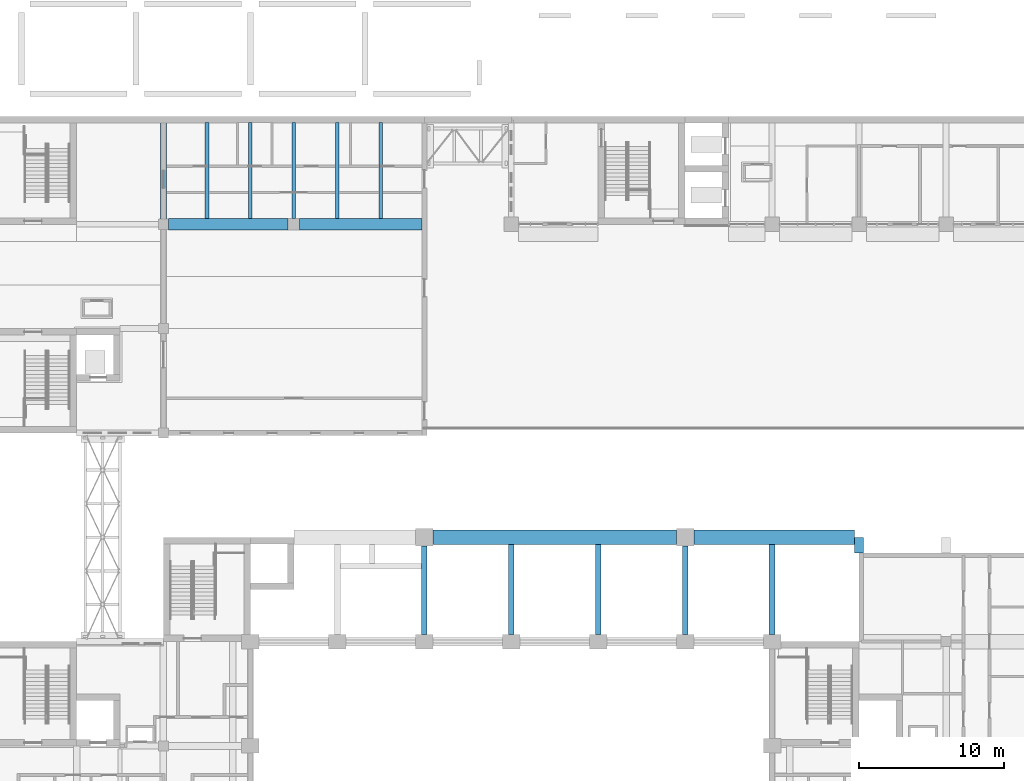
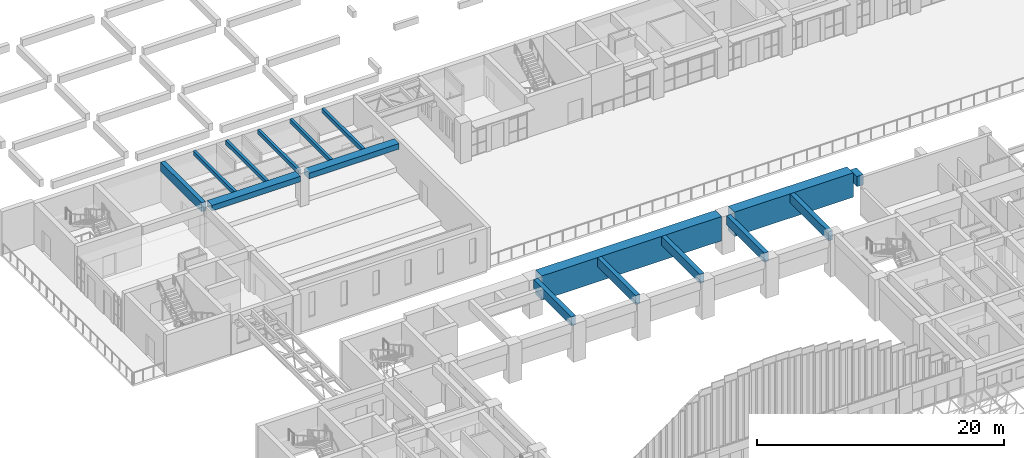
# One storey, part 24 of 103: 16 beams.
"""IFC4 building model written with IfcOpenShell, lengths in metres."""

from ifc_helpers import new_model, si_unit, direction, frame, origin, origin_2d, place, context, subcontext, project, spatial, rectangle, extrude, material, material_profile, profile_set, type_object, element, save


model = new_model("IFC4")

# Units and contexts
model_context = context("Model", 3, precision=1e-05, world=origin(), true_north=direction((0.0, 1.0)))
body_context = subcontext(model_context, "Body", "Model", "MODEL_VIEW")
ifc_project = project(units=[si_unit("LENGTHUNIT", "METRE"), si_unit("AREAUNIT", "SQUARE_METRE"), si_unit("VOLUMEUNIT", "CUBIC_METRE"), si_unit("PLANEANGLEUNIT", "RADIAN"), si_unit("MASSUNIT", "GRAM", prefix="KILO")], contexts=[model_context])

# Site, building, storey
site_placement = place(None, origin())
site = spatial("IfcSite", under=ifc_project, at=site_placement, CompositionType="ELEMENT")
building_placement = place(site_placement, origin())
building = spatial("IfcBuilding", under=site, at=building_placement, Name="Laocheng Heights Fire and Rescue Headquarters", CompositionType="ELEMENT")
storey_placement = place(building_placement, frame((0.0, 0.0, 4.199951171875)))
storey = spatial("IfcBuildingStorey", under=building, at=storey_placement, Name="L01", CompositionType="ELEMENT", Elevation=4.199951171875)

# Beams
ifc_material_1 = material(Name="Concrete C60", Category="concrete")
ifc_material_profile_1 = material_profile(ifc_material_1, rectangle(XDim=1.0, YDim=2.39990234375, at=origin_2d()), Name="RC BEAM 1000x2400 TRANSFER GIRDER")
ifc_profile_set_1 = profile_set([ifc_material_profile_1], Name="Concrete C60")
beam_type_1 = type_object("IfcBeamType", Name="RC BEAM 1000x2400 TRANSFER GIRDER", PredefinedType="BEAM", material=ifc_profile_set_1)
beam_1_placement = place(storey_placement, frame((30.60009765625, 28.800048828125, 2.550048828125), z_axis=(1.0, 0.0, 0.0), x_axis=(0.0, 1.0, 0.0)))
element("IfcBeam", 1, at=beam_1_placement, inside=storey, type_object=beam_type_1, Name="Transfer girder TG2", PredefinedType="BEAM", context=body_context, shape_type="SweptSolid", body=[
    extrude(rectangle(XDim=1.0, YDim=2.39990234375, at=origin_2d()), origin(), (0.0, 0.0, 1.0), 16.7998046875),
])
beam_2_placement = place(storey_placement, frame((48.60009765625, 28.800048828125, 2.550048828125), z_axis=(1.0, 0.0, 0.0), x_axis=(0.0, 1.0, 0.0)))
element("IfcBeam", 2, at=beam_2_placement, inside=storey, type_object=beam_type_1, Name="Transfer girder TG3", PredefinedType="BEAM", context=body_context, shape_type="SweptSolid", body=[
    extrude(rectangle(XDim=1.0, YDim=2.39990234375, at=origin_2d()), origin(), (0.0, 0.0, 1.0), 11.099853515625),
])
ifc_material_2 = material(Name="Concrete C40", Category="concrete")
ifc_material_profile_2 = material_profile(ifc_material_2, rectangle(XDim=0.25, YDim=0.39990234375, at=origin_2d()), Name="RC BEAM 250x400 BALCONY JOIST")
ifc_profile_set_2 = profile_set([ifc_material_profile_2], Name="Concrete C40")
beam_type_2 = type_object("IfcBeamType", Name="RC BEAM 250x400 BALCONY JOIST", PredefinedType="BEAM", material=ifc_profile_set_2)
for number, where, z_axis, x_axis, name in (
    (3, (15.0, 50.794921875, 3.75), (0.0, 1.0, 0.0), (-1.0, 0.0, 0.0), "Theatre balcony joist L01"),
    (4, (18.0, 50.794921875, 3.75), (0.0, 1.0, 0.0), (-1.0, 0.0, 0.0), "Theatre balcony joist L01"),
    (5, (21.0, 50.794921875, 3.75), (0.0, 1.0, 0.0), (-1.0, 0.0, 0.0), "Theatre balcony joist L01"),
    (6, (24.0, 50.794921875, 3.75), (0.0, 1.0, 0.0), (-1.0, 0.0, 0.0), "Theatre balcony joist L01"),
    (7, (27.0, 50.794921875, 3.75), (0.0, 1.0, 0.0), (-1.0, 0.0, 0.0), "Theatre balcony joist L01"),
):
    element("IfcBeam", number, at=place(storey_placement, frame(where, z_axis=z_axis, x_axis=x_axis)), inside=storey, type_object=beam_type_2, Name=name, PredefinedType="BEAM", context=body_context, shape_type="SweptSolid", body=[
        extrude(rectangle(XDim=0.25, YDim=0.39990234375, at=origin_2d()), origin(), (0.0, 0.0, 1.0), 6.635009765625),
    ])
ifc_material_3 = material(Name="Concrete C40", Category="concrete")
ifc_material_profile_3 = material_profile(ifc_material_3, rectangle(XDim=0.39990234375, YDim=0.89990234375, at=origin_2d()), Name="RC BEAM 400x900 FOYER")
ifc_profile_set_3 = profile_set([ifc_material_profile_3], Name="Concrete C40")
beam_type_3 = type_object("IfcBeamType", Name="RC BEAM 400x900 FOYER", PredefinedType="BEAM", material=ifc_profile_set_3)
beam_3_placement = place(storey_placement, frame((12.0, 50.75, 3.5), z_axis=(0.0, 1.0, 0.0), x_axis=(-1.0, 0.0, 0.0)))
element("IfcBeam", 8, at=beam_3_placement, inside=storey, type_object=beam_type_3, Name="Foyer beam L01", PredefinedType="BEAM", context=body_context, shape_type="SweptSolid", body=[
    extrude(rectangle(XDim=0.39990234375, YDim=0.89990234375, at=origin_2d()), origin(), (0.0, 0.0, 1.0), 6.625),
])
ifc_material_4 = material(Name="Concrete C50", Category="concrete")
ifc_material_profile_4 = material_profile(ifc_material_4, rectangle(XDim=0.39990234375, YDim=0.89990234375, at=origin_2d()), Name="RC BEAM 400x900 TRANSFER SECONDARY")
ifc_profile_set_4 = profile_set([ifc_material_profile_4], Name="Concrete C50")
beam_type_4 = type_object("IfcBeamType", Name="RC BEAM 400x900 TRANSFER SECONDARY", PredefinedType="BEAM", material=ifc_profile_set_4)
beam_4_placement = place(storey_placement, frame((30.0, 22.10009765625, 3.300048828125), z_axis=(0.0, 1.0, 0.0), x_axis=(-1.0, 0.0, 0.0)))
element("IfcBeam", 9, at=beam_4_placement, inside=storey, type_object=beam_type_4, Name="Transfer secondary beam", PredefinedType="BEAM", context=body_context, shape_type="SweptSolid", body=[
    extrude(rectangle(XDim=0.39990234375, YDim=0.89990234375, at=origin_2d()), origin(), (0.0, 0.0, 1.0), 6.099853515625),
])
for number, where, z_axis, x_axis, name in (
    (10, (36.0, 22.10009765625, 3.300048828125), (0.0, 1.0, 0.0), (-1.0, 0.0, 0.0), "Transfer secondary beam"),
    (11, (42.0, 22.10009765625, 3.300048828125), (0.0, 1.0, 0.0), (-1.0, 0.0, 0.0), "Transfer secondary beam"),
):
    element("IfcBeam", number, at=place(storey_placement, frame(where, z_axis=z_axis, x_axis=x_axis)), inside=storey, type_object=beam_type_4, Name=name, PredefinedType="BEAM", context=body_context, shape_type="SweptSolid", body=[
        extrude(rectangle(XDim=0.39990234375, YDim=0.89990234375, at=origin_2d()), origin(), (0.0, 0.0, 1.0), 6.199951171875),
    ])
beam_5_placement = place(storey_placement, frame((48.0, 22.10009765625, 3.300048828125), z_axis=(0.0, 1.0, 0.0), x_axis=(-1.0, 0.0, 0.0)))
element("IfcBeam", 12, at=beam_5_placement, inside=storey, type_object=beam_type_4, Name="Transfer secondary beam", PredefinedType="BEAM", context=body_context, shape_type="SweptSolid", body=[
    extrude(rectangle(XDim=0.39990234375, YDim=0.89990234375, at=origin_2d()), origin(), (0.0, 0.0, 1.0), 6.099853515625),
])
beam_6_placement = place(storey_placement, frame((54.0, 22.10009765625, 3.300048828125), z_axis=(0.0, 1.0, 0.0), x_axis=(-1.0, 0.0, 0.0)))
element("IfcBeam", 13, at=beam_6_placement, inside=storey, type_object=beam_type_4, Name="Transfer secondary beam", PredefinedType="BEAM", context=body_context, shape_type="SweptSolid", body=[
    extrude(rectangle(XDim=0.39990234375, YDim=0.89990234375, at=origin_2d()), origin(), (0.0, 0.0, 1.0), 6.199951171875),
])
ifc_material_5 = material(Name="Concrete C60", Category="concrete")
ifc_material_profile_5 = material_profile(ifc_material_5, rectangle(XDim=0.60009765625, YDim=1.0, at=origin_2d()), Name="RC BEAM 600x1000 TRANSFER CANTILEVER")
ifc_profile_set_5 = profile_set([ifc_material_profile_5], Name="Concrete C60")
beam_type_5 = type_object("IfcBeamType", Name="RC BEAM 600x1000 TRANSFER CANTILEVER", PredefinedType="BEAM", material=ifc_profile_set_5)
beam_7_placement = place(storey_placement, frame((60.0, 27.699951171875, 3.25), z_axis=(0.0, 1.0, 0.0), x_axis=(-1.0, 0.0, 0.0)))
element("IfcBeam", 14, at=beam_7_placement, inside=storey, type_object=beam_type_5, Name="Cantilever transfer beam TG5", PredefinedType="BEAM", context=body_context, shape_type="SweptSolid", body=[
    extrude(rectangle(XDim=0.60009765625, YDim=1.0, at=origin_2d()), origin(), (0.0, 0.0, 1.0), 1.10009765625),
])
ifc_material_6 = material(Name="Concrete C50", Category="concrete")
ifc_material_profile_6 = material_profile(ifc_material_6, rectangle(XDim=0.800048828125, YDim=0.550048828125, at=origin_2d()), Name="RC BEAM 800x550 BALCONY")
ifc_profile_set_6 = profile_set([ifc_material_profile_6], Name="Concrete C50")
beam_type_6 = type_object("IfcBeamType", Name="RC BEAM 800x550 BALCONY", PredefinedType="BEAM", material=ifc_profile_set_6)
beam_8_placement = place(storey_placement, frame((12.35009765625, 50.39990234375, 3.675048828125), z_axis=(1.0, 0.0, 0.0), x_axis=(0.0, 1.0, 0.0)))
element("IfcBeam", 15, at=beam_8_placement, inside=storey, type_object=beam_type_6, Name="Theatre balcony beam L01", PredefinedType="BEAM", context=body_context, shape_type="SweptSolid", body=[
    extrude(rectangle(XDim=0.800048828125, YDim=0.550048828125, at=origin_2d()), origin(), (0.0, 0.0, 1.0), 8.25),
])
beam_9_placement = place(storey_placement, frame((21.39990234375, 50.39990234375, 3.675048828125), z_axis=(1.0, 0.0, 0.0), x_axis=(0.0, 1.0, 0.0)))
element("IfcBeam", 16, at=beam_9_placement, inside=storey, type_object=beam_type_6, Name="Theatre balcony beam L01", PredefinedType="BEAM", context=body_context, shape_type="SweptSolid", body=[
    extrude(rectangle(XDim=0.800048828125, YDim=0.550048828125, at=origin_2d()), origin(), (0.0, 0.0, 1.0), 8.425048828125),
])

save(model, "model.ifc")
